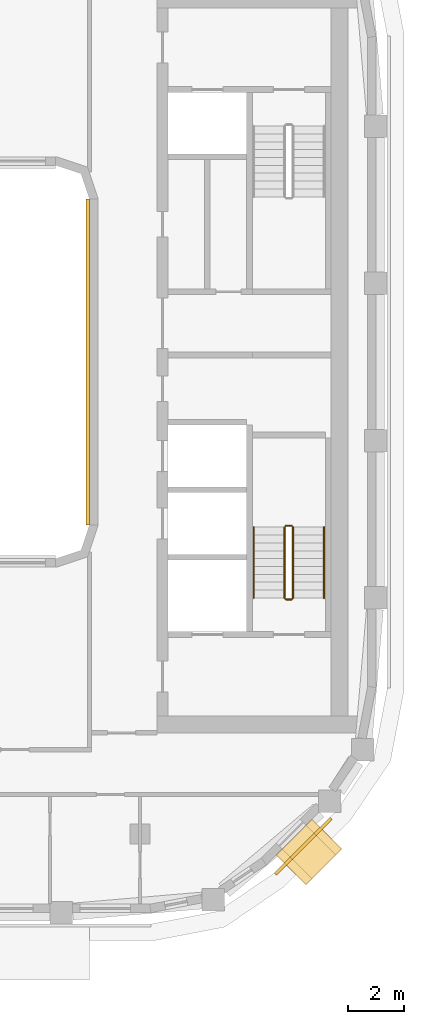
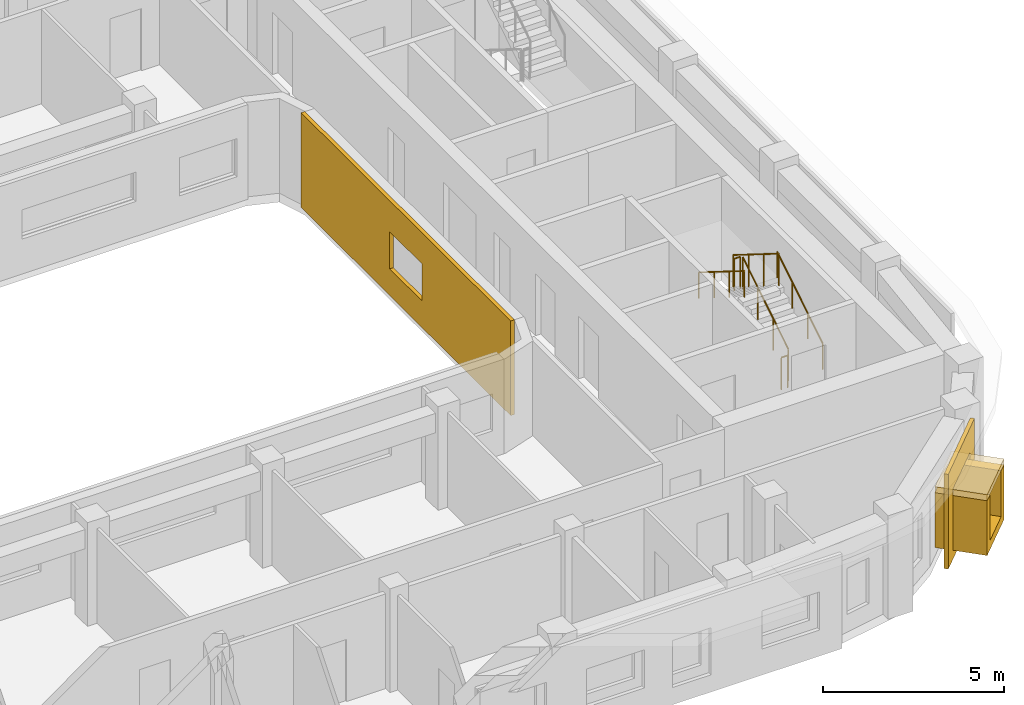
# One storey, part 12 of 15: 6 railings, 4 coverings.
"""IFC4 building model written with IfcOpenShell, lengths in metres."""

from ifc_helpers import new_model, si_unit, direction, frame, origin, origin_2d, place, context, subcontext, project, spatial, polyline, rectangle, circle, outline, extrude, material, layer, layer_set, type_object, element, save


model = new_model("IFC4")

# Units and contexts
model_context = context("Model", 3, precision=1e-05, world=origin(), true_north=direction((0.0, 1.0)))
body_context = subcontext(model_context, "Body", "Model", "MODEL_VIEW")
ifc_project = project(units=[si_unit("LENGTHUNIT", "METRE"), si_unit("AREAUNIT", "SQUARE_METRE"), si_unit("VOLUMEUNIT", "CUBIC_METRE"), si_unit("PLANEANGLEUNIT", "RADIAN"), si_unit("MASSUNIT", "GRAM", prefix="KILO")], contexts=[model_context])

# Site, building, storey
site_placement = place(None, origin())
site = spatial("IfcSite", under=ifc_project, at=site_placement, CompositionType="ELEMENT")
building_placement = place(site_placement, origin())
building = spatial("IfcBuilding", under=site, at=building_placement, Name="Kiln Ring Residences", CompositionType="ELEMENT")
storey_placement = place(building_placement, frame((0.0, 0.0, 252.199951171875)))
storey = spatial("IfcBuildingStorey", under=building, at=storey_placement, Name="L65", CompositionType="ELEMENT", Elevation=252.199951171875)

# Railings
ifc_material_1 = material(Name="Stainless steel", Category="steel")
railing_type_1 = type_object("IfcRailingType", Name="CORE-STAIR-GUARD", PredefinedType="GUARDRAIL", material=ifc_material_1)
railing_1_placement = place(storey_placement, frame((22.25, -8.39990234375, 0.175048828125)))
element("IfcRailing", 1, at=railing_1_placement, inside=storey, type_object=railing_type_1, Name="L65 E-STS stair guard 1", PredefinedType="GUARDRAIL", context=body_context, shape_type="SweptSolid", body=[
    extrude(circle(Radius=0.02392578125, at=origin_2d()), frame((0.0, 0.0, 1.076171875), z_axis=(0.0, 0.848007534815, 0.529984170421), x_axis=(-1.0, 0.0, 0.0)), (0.0, 0.0, 1.0), 2.9716796875),
    extrude(circle(Radius=0.02099609375, at=origin_2d()), origin(), (0.0, 0.0, 1.0), 1.052001953125),
    extrude(circle(Radius=0.02099609375, at=origin_2d()), frame((0.0, 0.840087890625, 0.52490234375)), (0.0, 0.0, 1.0), 1.052001953125),
    extrude(circle(Radius=0.02099609375, at=origin_2d()), frame((0.0, 1.679931640625, 1.050048828125)), (0.0, 0.0, 1.0), 1.052001953125),
    extrude(circle(Radius=0.02099609375, at=origin_2d()), frame((0.0, 2.52001953125, 1.574951171875)), (0.0, 0.0, 1.0), 1.052001953125),
])
railing_2_placement = place(storey_placement, frame((22.199951171875, -5.830078125, 1.75)))
element("IfcRailing", 2, at=railing_2_placement, inside=storey, type_object=railing_type_1, Name="L65 E-STS stair guard 2", PredefinedType="GUARDRAIL", context=body_context, shape_type="SweptSolid", body=[
    extrude(circle(Radius=0.02392578125, at=origin_2d()), frame((0.0, 0.0, 1.076171875), z_axis=(-1.0, 0.0, 0.0), x_axis=(0.0, -1.0, 0.0)), (0.0, 0.0, 1.0), 0.199951171875),
    extrude(circle(Radius=0.02099609375, at=origin_2d()), origin(), (0.0, 0.0, 1.0), 1.052001953125),
    extrude(circle(Radius=0.02099609375, at=origin_2d()), frame((-0.199951171875, 0.0, 0.0)), (0.0, 0.0, 1.0), 1.052001953125),
])
railing_3_placement = place(storey_placement, frame((21.949951171875, -5.8798828125, 1.925048828125)))
element("IfcRailing", 3, at=railing_3_placement, inside=storey, type_object=railing_type_1, Name="L65 E-STS stair guard 3", PredefinedType="GUARDRAIL", context=body_context, shape_type="SweptSolid", body=[
    extrude(circle(Radius=0.02392578125, at=origin_2d()), frame((0.0, 0.0, 1.076171875), z_axis=(0.0, -0.848007534815, 0.529984170421), x_axis=(1.0, 0.0, 0.0)), (0.0, 0.0, 1.0), 2.9716796875),
    extrude(circle(Radius=0.02099609375, at=origin_2d()), origin(), (0.0, 0.0, 1.0), 1.052001953125),
    extrude(circle(Radius=0.02099609375, at=origin_2d()), frame((0.0, -0.840087890625, 0.52490234375)), (0.0, 0.0, 1.0), 1.052001953125),
    extrude(circle(Radius=0.02099609375, at=origin_2d()), frame((0.0, -1.679931640625, 1.050048828125)), (0.0, 0.0, 1.0), 1.052001953125),
    extrude(circle(Radius=0.02099609375, at=origin_2d()), frame((0.0, -2.52001953125, 1.574951171875)), (0.0, 0.0, 1.0), 1.052001953125),
])
railing_4_placement = place(storey_placement, frame((22.199951171875, -8.449951171875, 0.0)))
element("IfcRailing", 4, at=railing_4_placement, inside=storey, type_object=railing_type_1, Name="L65 E-STS stair guard 4", PredefinedType="GUARDRAIL", context=body_context, shape_type="SweptSolid", body=[
    extrude(circle(Radius=0.02392578125, at=origin_2d()), frame((0.0, 0.0, 1.076171875), z_axis=(-1.0, 0.0, 0.0), x_axis=(0.0, -1.0, 0.0)), (0.0, 0.0, 1.0), 0.199951171875),
    extrude(circle(Radius=0.02099609375, at=origin_2d()), origin(), (0.0, 0.0, 1.0), 1.052001953125),
    extrude(circle(Radius=0.02099609375, at=origin_2d()), frame((-0.199951171875, 0.0, 0.0)), (0.0, 0.0, 1.0), 1.052001953125),
])
ifc_material_2 = material(Name="Stainless steel", Category="steel")
railing_type_2 = type_object("IfcRailingType", Name="CORE-STAIR-HANDRAIL", PredefinedType="HANDRAIL", material=ifc_material_2)
railing_5_placement = place(storey_placement, frame((23.35009765625, -8.39990234375, 0.175048828125)))
element("IfcRailing", 5, at=railing_5_placement, inside=storey, type_object=railing_type_2, Name="L65 E-STS stair handrail 1", PredefinedType="HANDRAIL", context=body_context, shape_type="SweptSolid", body=[
    extrude(circle(Radius=0.02392578125, at=origin_2d()), frame((0.0, 0.0, 0.8759765625), z_axis=(0.0, 0.848007534815, 0.529984170421), x_axis=(-1.0, 0.0, 0.0)), (0.0, 0.0, 1.0), 2.9716796875),
    extrude(circle(Radius=0.02099609375, at=origin_2d()), origin(), (0.0, 0.0, 1.0), 0.851806640625),
    extrude(circle(Radius=0.02099609375, at=origin_2d()), frame((0.0, 0.840087890625, 0.52490234375)), (0.0, 0.0, 1.0), 0.851806640625),
    extrude(circle(Radius=0.02099609375, at=origin_2d()), frame((0.0, 1.679931640625, 1.050048828125)), (0.0, 0.0, 1.0), 0.851806640625),
    extrude(circle(Radius=0.02099609375, at=origin_2d()), frame((0.0, 2.52001953125, 1.574951171875)), (0.0, 0.0, 1.0), 0.851806640625),
])
railing_6_placement = place(storey_placement, frame((20.85009765625, -5.8798828125, 1.925048828125)))
element("IfcRailing", 6, at=railing_6_placement, inside=storey, type_object=railing_type_2, Name="L65 E-STS stair handrail 2", PredefinedType="HANDRAIL", context=body_context, shape_type="SweptSolid", body=[
    extrude(circle(Radius=0.02392578125, at=origin_2d()), frame((0.0, 0.0, 0.8759765625), z_axis=(0.0, -0.848007534815, 0.529984170421), x_axis=(1.0, 0.0, 0.0)), (0.0, 0.0, 1.0), 2.9716796875),
    extrude(circle(Radius=0.02099609375, at=origin_2d()), origin(), (0.0, 0.0, 1.0), 0.851806640625),
    extrude(circle(Radius=0.02099609375, at=origin_2d()), frame((0.0, -0.840087890625, 0.52490234375)), (0.0, 0.0, 1.0), 0.851806640625),
    extrude(circle(Radius=0.02099609375, at=origin_2d()), frame((0.0, -1.679931640625, 1.050048828125)), (0.0, 0.0, 1.0), 0.851806640625),
    extrude(circle(Radius=0.02099609375, at=origin_2d()), frame((0.0, -2.52001953125, 1.574951171875)), (0.0, 0.0, 1.0), 0.851806640625),
])

# Coverings
ifc_material_3 = material(Name="Brick masonry, dark clay brick", Category="masonry")
ifc_layer_1 = layer(ifc_material_3, 0.300048828125)
ifc_layer_set_1 = layer_set([ifc_layer_1], Name="FRAME CHEEKS AND SILL 1500")
covering_type_1 = type_object("IfcCoveringType", Name="FRAME CHEEKS AND SILL 1500", PredefinedType="CLADDING", material=ifc_layer_set_1)
covering_1_placement = place(storey_placement, frame((22.180908203125, -18.079833984375, 0.300048828125), z_axis=(0.0, 0.0, 1.0), x_axis=(0.707038962956, 0.707174592913, 0.0)))
element("IfcCovering", 7, at=covering_1_placement, inside=storey, type_object=covering_type_1, Name="FRAME L65", PredefinedType="CLADDING", context=body_context, shape_type="SweptSolid", body=[
    extrude(outline(polyline([(0.0, 0.0), (1.800048828125, 0.0), (1.800048828125, 1.85009765625), (1.5009765625, 1.85009765625), (1.5, 0.300048828125), (0.300048828125, 0.300048828125), (0.299072265625, 1.85009765625), (0.0, 1.85009765625), (0.0, 0.0)])), frame((0.0, 0.75, 0.0), z_axis=(0.0, -1.0, 0.0), x_axis=(1.0, 0.0, 0.0)), (0.0, 0.0, 1.0), 1.5),
])
ifc_material_4 = material(Name="Brick masonry, dark clay brick", Category="masonry")
ifc_layer_2 = layer(ifc_material_4, 0.199951171875)
ifc_layer_set_2 = layer_set([ifc_layer_2], Name="FRAME HEAD 1500")
covering_type_2 = type_object("IfcCoveringType", Name="FRAME HEAD 1500", PredefinedType="CLADDING", material=ifc_layer_set_2)
covering_2_placement = place(storey_placement, frame((22.8173828125, -17.443359375, 2.14990234375), z_axis=(0.0, 0.0, 1.0), x_axis=(0.707106781187, 0.707106781187, 0.0)))
element("IfcCovering", 8, at=covering_2_placement, inside=storey, type_object=covering_type_2, Name="FRAME HEAD L65", PredefinedType="CLADDING", context=body_context, shape_type="SweptSolid", body=[
    extrude(rectangle(XDim=1.800048828125, YDim=1.5, at=origin_2d()), origin(), (0.0, 0.0, 1.0), 0.199951171875),
])
ifc_material_5 = material(Name="Brick masonry, dark clay brick", Category="masonry")
ifc_layer_3 = layer(ifc_material_5, 0.1201171875)
ifc_layer_set_3 = layer_set([ifc_layer_3], Name="RAINSCREEN PANEL 120")
covering_type_3 = type_object("IfcCoveringType", Name="RAINSCREEN PANEL 120", PredefinedType="CLADDING", material=ifc_layer_set_3)
covering_3_placement = place(storey_placement, frame((21.622314453125, -18.228271484375, 0.0), z_axis=(0.0, 0.0, 1.0), x_axis=(0.707106781187, 0.707106781187, 0.0)))
element("IfcCovering", 9, at=covering_3_placement, inside=storey, type_object=covering_type_3, Name="RAINSCREEN L65", PredefinedType="CLADDING", context=body_context, shape_type="SweptSolid", body=[
    extrude(outline(polyline([(0.0, 0.0), (2.800048828125, 0.0), (2.800048828125, 3.199951171875), (0.0, 3.199951171875), (0.0, 0.0)]), holes=[polyline([(0.47998046875, 2.3701171875), (0.47998046875, 0.280029296875), (2.320068359375, 0.280029296875), (2.320068359375, 2.3701171875), (0.47998046875, 2.3701171875)])]), frame((0.0, 0.06005859375, 0.0), z_axis=(0.0, -1.0, 0.0), x_axis=(1.0, 0.0, 0.0)), (0.0, 0.0, 1.0), 0.1201171875),
])
covering_4_placement = place(storey_placement, frame((14.93994140625, 5.800048828125, 0.0), z_axis=(0.0, 0.0, 1.0), x_axis=(0.0, -1.0, 0.0)))
element("IfcCovering", 10, at=covering_4_placement, inside=storey, type_object=covering_type_3, Name="RAINSCREEN L65", PredefinedType="CLADDING", context=body_context, shape_type="SweptSolid", body=[
    extrude(outline(polyline([(0.0, 0.0), (11.60009765625, 0.0), (11.60009765625, 3.199951171875), (0.0, 3.199951171875), (0.0, 0.0)]), holes=[polyline([(4.89990234375, 2.150146484375), (4.89990234375, 0.900146484375), (6.699951171875, 0.900146484375), (6.699951171875, 2.150146484375), (4.89990234375, 2.150146484375)])]), frame((0.0, 0.06005859375, 0.0), z_axis=(0.0, -1.0, 0.0), x_axis=(1.0, 0.0, 0.0)), (0.0, 0.0, 1.0), 0.1201171875),
])

save(model, "model.ifc")
